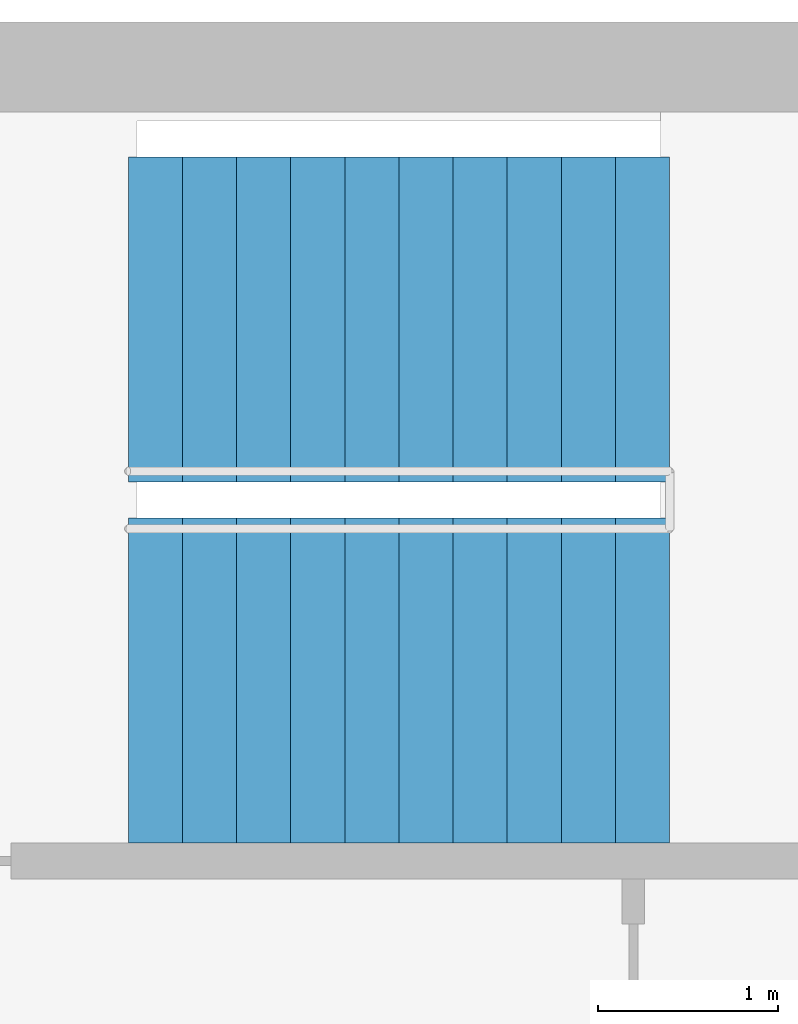
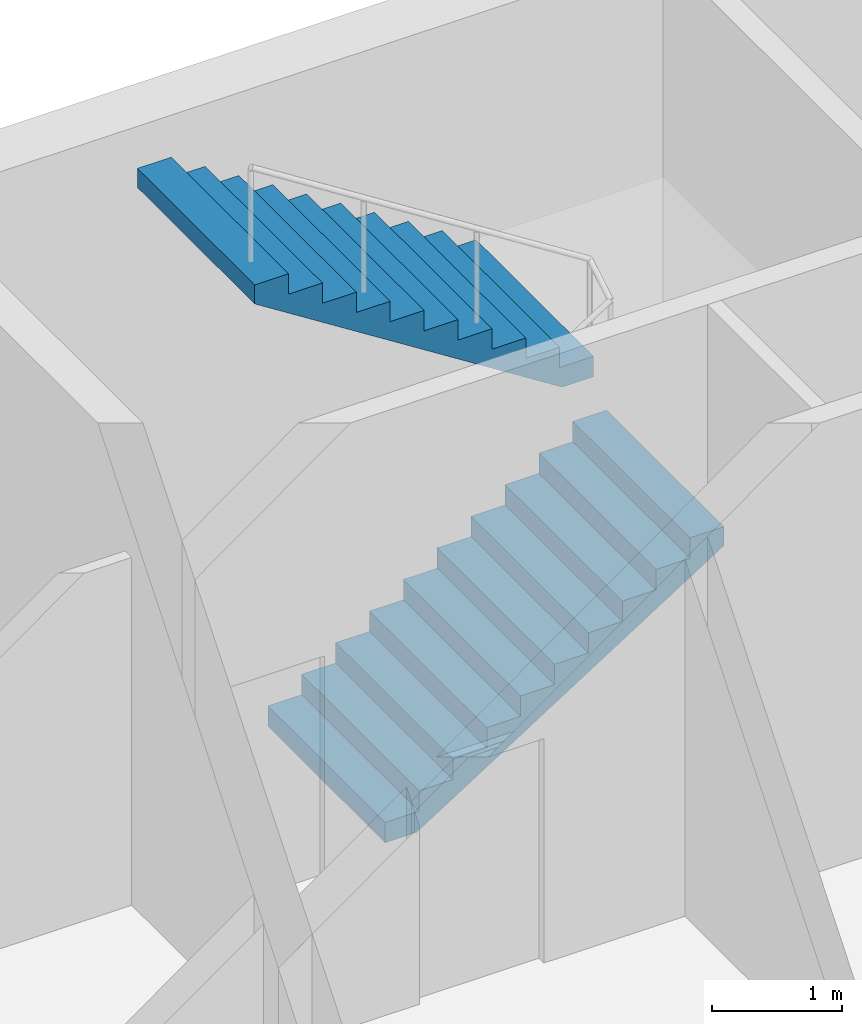
# One storey, part 13 of 16: 2 stair flights, 1 element without a shape of its own.
"""IFC4 building model written with IfcOpenShell, lengths in metres."""

from ifc_helpers import new_model, si_unit, direction, frame, origin, place, context, subcontext, project, spatial, polyline, outline, extrude, material, type_object, element, aggregate, save


model = new_model("IFC4")

# Units and contexts
model_context = context("Model", 3, precision=1e-05, world=origin(), true_north=direction((0.0, 1.0)))
body_context = subcontext(model_context, "Body", "Model", "MODEL_VIEW")
ifc_project = project(units=[si_unit("LENGTHUNIT", "METRE"), si_unit("AREAUNIT", "SQUARE_METRE"), si_unit("VOLUMEUNIT", "CUBIC_METRE"), si_unit("PLANEANGLEUNIT", "RADIAN"), si_unit("MASSUNIT", "GRAM", prefix="KILO")], contexts=[model_context])

# Site, building, storey
site_placement = place(None, origin())
site = spatial("IfcSite", under=ifc_project, at=site_placement, CompositionType="ELEMENT")
building_placement = place(site_placement, origin())
building = spatial("IfcBuilding", under=site, at=building_placement, Name="Crosswind Convention Tower", CompositionType="ELEMENT")
storey_placement = place(building_placement, frame((0.0, 0.0, 299.699951171875)))
storey = spatial("IfcBuildingStorey", under=building, at=storey_placement, Name="L65", CompositionType="ELEMENT", Elevation=299.699951171875)

# Stair, stair flights
ifc_material = material(Name="Concrete C40/50", Category="concrete")
stair_type = type_object("IfcStairType", Name="Exit stair 1800 wide, 2 flights of 11 risers", PredefinedType="HALF_TURN_STAIR", material=ifc_material)
stair_placement = place(storey_placement, origin())
stair = element("IfcStair", 1, at=stair_placement, inside=storey, type_object=stair_type, Name="Exit stair ST1 L65", ObjectType="ST5", PredefinedType="HALF_TURN_STAIR")
stair_flight_type = type_object("IfcStairFlightType", Name="Stair flight 1800 wide, 11 risers (SF4)", PredefinedType="STRAIGHT", material=ifc_material)
stair_flight_1_placement = place(storey_placement, frame((139.10009765625, 108.60009765625, 0.0), z_axis=(0.0, 0.0, 1.0), x_axis=(1.0, 0.0, 0.0)))
stair_flight_1 = element("IfcStairFlight", 2, at=stair_flight_1_placement, type_object=stair_flight_type, Name="ST1 flight 1", NumberOfRisers=11, NumberOfTreads=10, PredefinedType="STRAIGHT", RiserHeight=0.190909091, TreadLength=0.3, context=body_context, shape_type="SweptSolid", body=[
    extrude(outline(polyline([(0.0, 0.0), (0.0, 0.19091796875), (0.300048828125, 0.19091796875), (0.300048828125, 0.3818359375), (0.60009765625, 0.3818359375), (0.60009765625, 0.57275390625), (0.89990234375, 0.57275390625), (0.89990234375, 0.763671875), (1.199951171875, 0.763671875), (1.199951171875, 0.95458984375), (1.5, 0.95458984375), (1.5, 1.1455078125), (1.800048828125, 1.1455078125), (1.800048828125, 1.33642578125), (2.10009765625, 1.33642578125), (2.10009765625, 1.52734375), (2.39990234375, 1.52734375), (2.39990234375, 1.71826171875), (2.699951171875, 1.71826171875), (2.699951171875, 1.9091796875), (3.0, 1.9091796875), (3.0, 2.10009765625), (3.0, 1.7314453125), (0.279296875, 0.0), (0.0, 0.0)])), frame((0.0, 0.89990234375, 0.0), z_axis=(0.0, -1.0, 0.0), x_axis=(1.0, 0.0, 0.0)), (0.0, 0.0, 1.0), 1.800048828125),
])
stair_flight_2_placement = place(storey_placement, frame((142.10009765625, 110.60009765625, 2.10009765625), z_axis=(0.0, 0.0, 1.0), x_axis=(-1.0, 0.0, 0.0)))
stair_flight_2 = element("IfcStairFlight", 3, at=stair_flight_2_placement, type_object=stair_flight_type, Name="ST1 flight 2", NumberOfRisers=11, NumberOfTreads=10, PredefinedType="STRAIGHT", RiserHeight=0.190909091, TreadLength=0.3, context=body_context, shape_type="SweptSolid", body=[
    extrude(outline(polyline([(0.0, 0.0), (0.0, 0.19091796875), (0.300048828125, 0.19091796875), (0.300048828125, 0.3818359375), (0.60009765625, 0.3818359375), (0.60009765625, 0.57275390625), (0.89990234375, 0.57275390625), (0.89990234375, 0.763671875), (1.199951171875, 0.763671875), (1.199951171875, 0.95458984375), (1.5, 0.95458984375), (1.5, 1.1455078125), (1.800048828125, 1.1455078125), (1.800048828125, 1.33642578125), (2.10009765625, 1.33642578125), (2.10009765625, 1.52734375), (2.39990234375, 1.52734375), (2.39990234375, 1.71826171875), (2.699951171875, 1.71826171875), (2.699951171875, 1.9091796875), (3.0, 1.9091796875), (3.0, 2.10009765625), (3.0, 1.7314453125), (0.279296875, 0.0), (0.0, 0.0)])), frame((0.0, 0.89990234375, 0.0), z_axis=(0.0, -1.0, 0.0), x_axis=(1.0, 0.0, 0.0)), (0.0, 0.0, 1.0), 1.800048828125),
])
aggregate(stair, [stair_flight_1, stair_flight_2])

save(model, "model.ifc")
